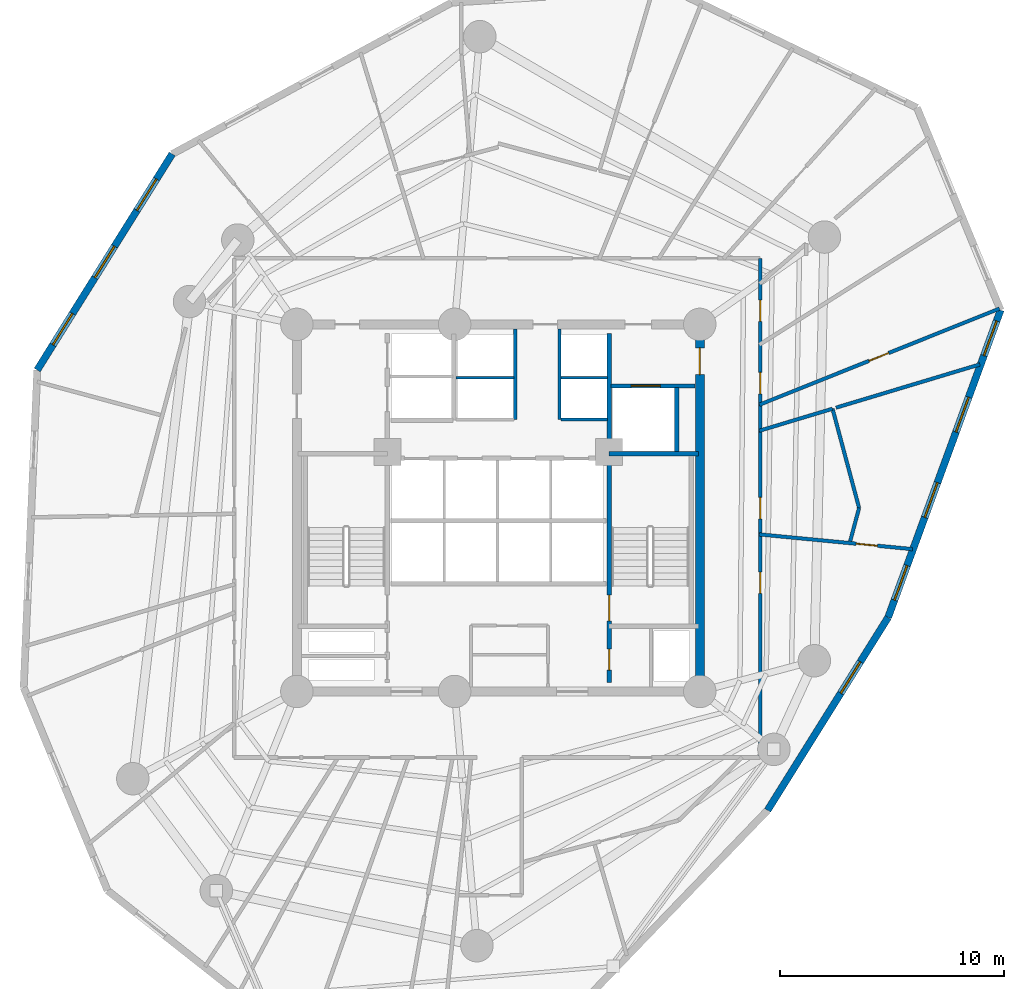
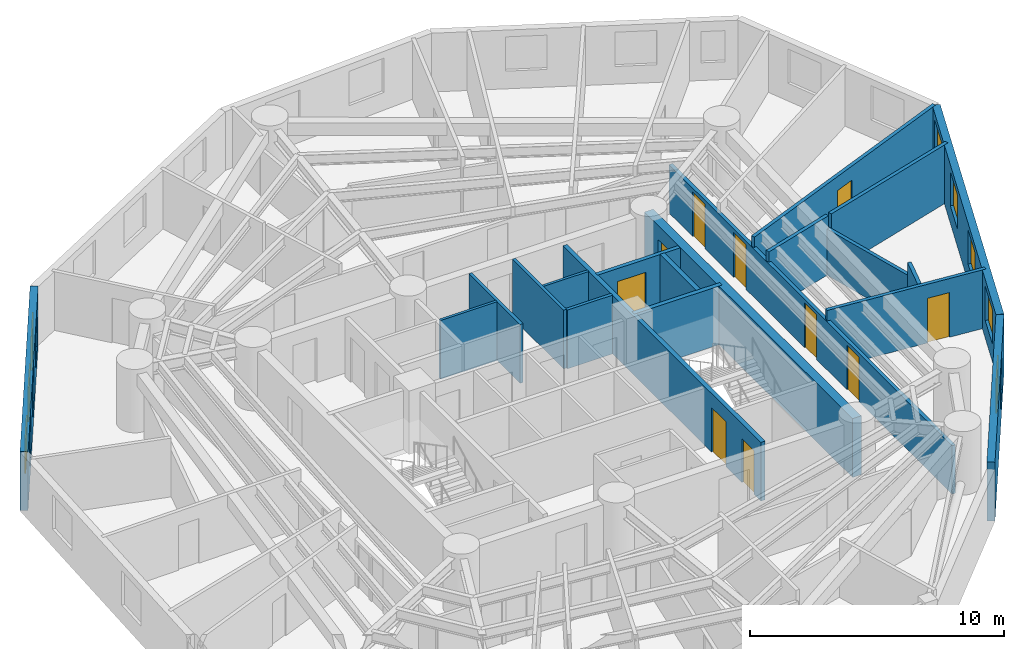
# One storey, part 5 of 8: 20 walls, 10 doors, 8 windows, 18 openings.
"""IFC4 building model written with IfcOpenShell, lengths in metres."""

import ifcopenshell
import ifcopenshell.guid

model = None  # the IFC model being written
_history = None  # IfcOwnerHistory: only IFC2X3 demands one
_inside = {}  # id of a spatial element -> (the spatial element, [elements in it])
_under = {}  # id of a project, library or spatial element -> (it, [spatial elements below it])
_declared = {}  # id of a project -> (the project, [libraries it declares])
_typed = {}  # id of a type object -> (the type object, [elements of that type])
_made_of = {}  # id of a material, layer set ... -> (it, [elements and type objects made of it])


def new_model(schema):
    """Start an empty IFC model of exactly this schema.

    Asked for "IFC4X3", IfcOpenShell would pick the latest addendum, in which some entities
    have other attributes; the version numbers below select the first issue.
    IFC2X3 requires an IfcOwnerHistory on every rooted entity: one is made here for all.
    """
    global model, _history
    if schema == "IFC4X3":
        model = ifcopenshell.file(schema_version=(4, 3, 0, 0))
    else:
        model = ifcopenshell.file(schema=schema)
    _inside.clear()
    _under.clear()
    _declared.clear()
    _typed.clear()
    _made_of.clear()
    _history = None
    if model.schema == "IFC2X3":
        org = make("IfcOrganization", Name="unknown")
        user = make(
            "IfcPersonAndOrganization",
            ThePerson=make("IfcPerson", FamilyName="unknown"),
            TheOrganization=org,
        )
        app = make(
            "IfcApplication",
            ApplicationDeveloper=org,
            Version="unknown",
            ApplicationFullName="unknown",
            ApplicationIdentifier="unknown",
        )
        _history = make(
            "IfcOwnerHistory",
            OwningUser=user,
            OwningApplication=app,
            ChangeAction="ADDED",
            CreationDate=0,
        )
    return model


def make(cls, **values):
    """One entity of the class cls with the attributes given. An attribute that is None is left unset."""
    return model.create_entity(
        cls, **{name: value for name, value in values.items() if value is not None}
    )


def rooted(cls, **values):
    """An entity with a GlobalId (a new one), such as an element, a storey or a relation."""
    return make(cls, GlobalId=ifcopenshell.guid.new(), OwnerHistory=_history, **values)


def si_unit(unit_type, name, prefix=None):
    """IfcSIUnit, for example si_unit("LENGTHUNIT", "METRE", prefix="MILLI")."""
    return make("IfcSIUnit", UnitType=unit_type, Prefix=prefix, Name=name)


def assignment(units):
    """IfcUnitAssignment: the units of a project."""
    return None if units is None else make("IfcUnitAssignment", Units=units)


def point(xyz):
    """IfcCartesianPoint."""
    return None if xyz is None else make("IfcCartesianPoint", Coordinates=xyz)


def direction(xyz):
    """IfcDirection."""
    return None if xyz is None else make("IfcDirection", DirectionRatios=xyz)


def frame(location, z_axis=None, x_axis=None):
    """IfcAxis2Placement3D, a coordinate frame: its origin and axes. An axis left out is left unset."""
    return make(
        "IfcAxis2Placement3D",
        Location=point(location),
        Axis=direction(z_axis),
        RefDirection=direction(x_axis),
    )


def frame_2d(location, x_axis=None):
    """IfcAxis2Placement2D, a coordinate frame in the plane: its origin and x axis."""
    return make(
        "IfcAxis2Placement2D", Location=point(location), RefDirection=direction(x_axis)
    )


def origin():
    """The frame at (0, 0, 0) with its axes left unset."""
    return frame((0.0, 0.0, 0.0))


def origin_with_axes():
    """The frame at (0, 0, 0) with the z axis (0, 0, 1) and the x axis (1, 0, 0) written out."""
    return frame((0.0, 0.0, 0.0), z_axis=(0.0, 0.0, 1.0), x_axis=(1.0, 0.0, 0.0))


def place(relative_to, where):
    """IfcLocalPlacement: puts the frame where relative to a parent placement (None: the world)."""
    return make(
        "IfcLocalPlacement", PlacementRelTo=relative_to, RelativePlacement=where
    )


def context(
    kind, dimensions, precision=None, world=None, true_north=None, identifier=None
):
    """IfcGeometricRepresentationContext, for example the 3D "Model" context."""
    return make(
        "IfcGeometricRepresentationContext",
        ContextIdentifier=identifier,
        ContextType=kind,
        CoordinateSpaceDimension=dimensions,
        Precision=precision,
        WorldCoordinateSystem=world,
        TrueNorth=true_north,
    )


def subcontext(parent, identifier, kind, view, scale=None):
    """IfcGeometricRepresentationSubContext, for example "Body" below "Model"."""
    return make(
        "IfcGeometricRepresentationSubContext",
        ContextIdentifier=identifier,
        ContextType=kind,
        ParentContext=parent,
        TargetScale=scale,
        TargetView=view,
    )


def project(units=None, contexts=None):
    """IfcProject with its units and contexts."""
    return rooted(
        "IfcProject",
        Name="project",
        RepresentationContexts=contexts,
        UnitsInContext=assignment(units),
    )


def spatial(cls, under=None, at=None, **own):
    """A site, building, storey or space (cls), placed at a placement, below another one or the project."""
    s = rooted(cls, ObjectPlacement=at, **own)
    if under is not None:
        _under.setdefault(under.id(), (under, []))[1].append(s)
    return s


def profile(cls, at=None, kind="AREA", **sizes):
    """A parametric profile (cls). Its sizes go by their IFC names, for example OverallWidth=200.0."""
    return make(cls, ProfileType=kind, Position=at, **sizes)


def rectangle(**sizes):
    """IfcRectangleProfileDef."""
    return profile("IfcRectangleProfileDef", **sizes)


def extrude(swept, where, along, depth):
    """IfcExtrudedAreaSolid: the profile swept, set in the frame where, extruded along a direction by depth."""
    return make(
        "IfcExtrudedAreaSolid",
        SweptArea=swept,
        Position=where,
        ExtrudedDirection=direction(along),
        Depth=depth,
    )


def shape(context_of_items, identifier, shape_type, items):
    """IfcShapeRepresentation: the items that make up one representation, for example the "Body"."""
    return make(
        "IfcShapeRepresentation",
        ContextOfItems=context_of_items,
        RepresentationIdentifier=identifier,
        RepresentationType=shape_type,
        Items=items,
    )


def source(mapping_origin, context_of_items, identifier, shape_type, items):
    """IfcRepresentationMap: a shape defined once, which mapped items show again and again."""
    return make(
        "IfcRepresentationMap",
        MappingOrigin=mapping_origin,
        MappedRepresentation=shape(context_of_items, identifier, shape_type, items),
    )


def transform(
    local_origin,
    x_axis=None,
    y_axis=None,
    z_axis=None,
    scale=None,
    scale2=None,
    scale3=None,
    uniform=True,
):
    """IfcCartesianTransformationOperator3D, or its non-uniform kind. x_axis, y_axis, z_axis: its Axis1, 2, 3."""
    if uniform:
        return make(
            "IfcCartesianTransformationOperator3D",
            Axis1=direction(x_axis),
            Axis2=direction(y_axis),
            LocalOrigin=point(local_origin),
            Scale=scale,
            Axis3=direction(z_axis),
        )
    return make(
        "IfcCartesianTransformationOperator3DnonUniform",
        Axis1=direction(x_axis),
        Axis2=direction(y_axis),
        LocalOrigin=point(local_origin),
        Scale=scale,
        Axis3=direction(z_axis),
        Scale2=scale2,
        Scale3=scale3,
    )


def mapped(mapping_source, mapping_target):
    """IfcMappedItem: shows the shape of a source again, moved by a transform."""
    return make(
        "IfcMappedItem", MappingSource=mapping_source, MappingTarget=mapping_target
    )


def material(Name=None, Category=None):
    """IfcMaterial."""
    return make("IfcMaterial", Name=Name, Category=Category)


def layer(
    of_material, thickness, ventilated=None, Name=None, Category=None, Priority=None
):
    """IfcMaterialLayer: one layer of a wall or slab, of a material (None: an air gap)."""
    return make(
        "IfcMaterialLayer",
        Material=of_material,
        LayerThickness=thickness,
        IsVentilated=ventilated,
        Name=Name,
        Category=Category,
        Priority=Priority,
    )


def layer_set(layers, Name=None):
    """IfcMaterialLayerSet."""
    return make("IfcMaterialLayerSet", MaterialLayers=layers, LayerSetName=Name)


def made_of(thing, what):
    """Note that an element or type object is made of a material, layer set ...; save() writes the relation."""
    if what is not None:
        _made_of.setdefault(what.id(), (what, []))[1].append(thing)
    return thing


def type_object(cls, material=None, **own):
    """A type object (cls), such as IfcWallType, which elements share."""
    return made_of(rooted(cls, **own), material)


def element(
    cls,
    number,
    at=None,
    inside=None,
    cuts=None,
    type_object=None,
    material=None,
    context=None,
    identifier="Body",
    shape_type=None,
    held_by="IfcProductDefinitionShape",
    body=None,
    shapes=None,
    **own,
):
    """One element of the class cls, such as IfcWall. Its Tag is "e" and its number.

    at: its placement. inside: the storey or other place that contains it. cuts: it is an
    opening in that element (IfcRelVoidsElement). A single representation is given by context,
    identifier, shape_type and body (its items); several are given by shapes. held_by: the class
    of the entity that holds the representations. save() writes the other relations.
    """
    e = rooted(cls, Tag="e%d" % number, ObjectPlacement=at, **own)
    if body is not None:
        shapes = [shape(context, identifier, shape_type, body)]
    if shapes is not None:
        e.Representation = make(held_by, Representations=shapes)
    if inside is not None:
        _inside.setdefault(inside.id(), (inside, []))[1].append(e)
    if cuts is not None:
        rooted(
            "IfcRelVoidsElement", RelatingBuildingElement=cuts, RelatedOpeningElement=e
        )
    if type_object is not None:
        _typed.setdefault(type_object.id(), (type_object, []))[1].append(e)
    return made_of(e, material)


def fill(opening, filler):
    """IfcRelFillsElement: the door or window that sits in an opening."""
    return rooted(
        "IfcRelFillsElement",
        RelatingOpeningElement=opening,
        RelatedBuildingElement=filler,
    )


def aggregate(whole, parts):
    """IfcRelAggregates: a whole, such as a stair, and the parts it consists of."""
    return rooted("IfcRelAggregates", RelatingObject=whole, RelatedObjects=parts)


def save(model, path):
    """Write the relations noted so far, then the file.

    IfcRelAggregates (storeys below a building ...), IfcRelContainedInSpatialStructure (elements
    in a storey), IfcRelDefinesByType, IfcRelAssociatesMaterial and IfcRelDeclares: one each for
    every whole, place, type object, material and project.
    """
    for whole, parts in _under.values():
        aggregate(whole, parts)
    for where, things in _inside.values():
        rooted(
            "IfcRelContainedInSpatialStructure",
            RelatedElements=things,
            RelatingStructure=where,
        )
    for kind, things in _typed.values():
        rooted("IfcRelDefinesByType", RelatedObjects=things, RelatingType=kind)
    for what, things in _made_of.values():
        rooted("IfcRelAssociatesMaterial", RelatedObjects=things, RelatingMaterial=what)
    for by, libraries in _declared.values():
        rooted("IfcRelDeclares", RelatingContext=by, RelatedDefinitions=libraries)
    model.write(path)


model = new_model("IFC4")

# Units and contexts
model_context = context("Model", 3, precision=1e-05, world=origin(), true_north=direction((0.0, 1.0)))
body_context = subcontext(model_context, "Body", "Model", "MODEL_VIEW")
ifc_project = project(units=[si_unit("LENGTHUNIT", "METRE"), si_unit("AREAUNIT", "SQUARE_METRE"), si_unit("VOLUMEUNIT", "CUBIC_METRE"), si_unit("PLANEANGLEUNIT", "RADIAN"), si_unit("MASSUNIT", "GRAM", prefix="KILO")], contexts=[model_context])

# Site, building, storey
site_placement = place(None, origin())
site = spatial("IfcSite", under=ifc_project, at=site_placement, CompositionType="ELEMENT")
building_placement = place(site_placement, origin())
building = spatial("IfcBuilding", under=site, at=building_placement, Name="Karkom Vertical University and Central Library", CompositionType="ELEMENT")
storey_placement = place(building_placement, frame((0.0, 0.0, 108.39990234375)))
storey = spatial("IfcBuildingStorey", under=building, at=storey_placement, Name="L29", CompositionType="ELEMENT", Elevation=108.39990234375)

# Wall, openings, windows
ifc_material_1 = material(Name="Brick-faced precast concrete C45/55", Category="masonry")
ifc_layer_1 = layer(ifc_material_1, 0.320068359375)
ifc_layer_set_1 = layer_set([ifc_layer_1], Name="Brick-faced precast concrete C45/55")
wall_type_1 = type_object("IfcWallType", Name="ENV-WL-BRK-320", PredefinedType="SOLIDWALL", material=ifc_layer_set_1)
wall_1_placement = place(storey_placement, frame((13.93310546875, 42.31298828125, 0.0), z_axis=(0.0, 0.0, 1.0), x_axis=(-0.529921814279, -0.848046502706, 0.0)))
wall_1 = element("IfcWall", 1, at=wall_1_placement, inside=storey, type_object=wall_type_1, Name="Level 29 Brick-Faced Precast Facade Wall 01", PredefinedType="SOLIDWALL", context=body_context, shape_type="SweptSolid", body=[
    extrude(rectangle(XDim=11.3818359375, YDim=0.320068359375, at=frame_2d((5.69091796875, 0.0))), origin(), (0.0, 0.0, 1.0), 2.8251953125),
])
opening_1_placement = place(wall_1_placement, frame((1.3251953125, 0.0, 0.85009765625)))
opening_1 = element("IfcOpeningElement", 2, at=opening_1_placement, cuts=wall_1, Name="Opening WN-06", PredefinedType="OPENING", context=body_context, shape_type="SweptSolid", body=[
    extrude(rectangle(XDim=1.64990234375, YDim=1.64990234375, at=frame_2d((0.824951171875, 0.824951171875))), frame((0.0, 0.169921875, 0.0), z_axis=(0.0, -1.0, 0.0), x_axis=(1.0, 0.0, 0.0)), (0.0, 0.0, 1.0), 0.340087890625),
])
opening_2_placement = place(wall_1_placement, frame((4.865966796875, 0.0, 0.85009765625)))
opening_2 = element("IfcOpeningElement", 3, at=opening_2_placement, cuts=wall_1, Name="Opening WN-06", PredefinedType="OPENING", context=body_context, shape_type="SweptSolid", body=[
    extrude(rectangle(XDim=1.64990234375, YDim=1.64990234375, at=frame_2d((0.824951171875, 0.824951171875))), frame((0.0, 0.169921875, 0.0), z_axis=(0.0, -1.0, 0.0), x_axis=(1.0, 0.0, 0.0)), (0.0, 0.0, 1.0), 0.340087890625),
])
opening_3_placement = place(wall_1_placement, frame((8.406494140625, 0.0, 0.85009765625)))
opening_3 = element("IfcOpeningElement", 4, at=opening_3_placement, cuts=wall_1, Name="Opening WN-06", PredefinedType="OPENING", context=body_context, shape_type="SweptSolid", body=[
    extrude(rectangle(XDim=1.64990234375, YDim=1.64990234375, at=frame_2d((0.824951171875, 0.824951171875))), frame((0.0, 0.169921875, 0.0), z_axis=(0.0, -1.0, 0.0), x_axis=(1.0, 0.0, 0.0)), (0.0, 0.0, 1.0), 0.340087890625),
])
ifc_material_2 = material(Name="Aluminium thermal-break frame with solar-control IGU", Category="aluminium")
window_type = type_object("IfcWindowType", Name="ENV-WIN-WN-06", PartitioningType="SINGLE_PANEL", PredefinedType="WINDOW", material=ifc_material_2)
shared_shape_1 = source(origin_with_axes(), body_context, "Body", "SweptSolid", [
    extrude(rectangle(XDim=1.64990234375, YDim=1.64990234375, at=frame_2d((0.824951171875, 0.824951171875))), frame((0.0, 0.030029296875, 0.0), z_axis=(0.0, -1.0, 0.0), x_axis=(1.0, 0.0, 0.0)), (0.0, 0.0, 1.0), 0.06005859375),
])
window_1_placement = place(opening_1_placement, origin())
window_1 = element("IfcWindow", 5, at=window_1_placement, inside=storey, type_object=window_type, Name="Level 29 Punched Window 1.1", OverallHeight=1.64990234375, OverallWidth=1.64990234375, PartitioningType="SINGLE_PANEL", PredefinedType="WINDOW", context=body_context, shape_type="MappedRepresentation", body=[
    mapped(shared_shape_1, transform((0.0, 0.0, 0.0), scale=1.0)),
])
fill(opening_1, window_1)
window_2_placement = place(opening_2_placement, origin())
window_2 = element("IfcWindow", 6, at=window_2_placement, inside=storey, type_object=window_type, Name="Level 29 Punched Window 1.2", OverallHeight=1.64990234375, OverallWidth=1.64990234375, PartitioningType="SINGLE_PANEL", PredefinedType="WINDOW", context=body_context, shape_type="MappedRepresentation", body=[
    mapped(shared_shape_1, transform((0.0, 0.0, 0.0), scale=1.0)),
])
fill(opening_2, window_2)
window_3_placement = place(opening_3_placement, origin())
window_3 = element("IfcWindow", 7, at=window_3_placement, inside=storey, type_object=window_type, Name="Level 29 Punched Window 1.3", OverallHeight=1.64990234375, OverallWidth=1.64990234375, PartitioningType="SINGLE_PANEL", PredefinedType="WINDOW", context=body_context, shape_type="MappedRepresentation", body=[
    mapped(shared_shape_1, transform((0.0, 0.0, 0.0), scale=1.0)),
])
fill(opening_3, window_3)

# Wall, opening, window
wall_2_placement = place(storey_placement, frame((40.52978515625, 12.99169921875, 0.0), z_axis=(0.0, 0.0, 1.0), x_axis=(0.529914715666, 0.8480509384, 0.0)))
wall_2 = element("IfcWall", 8, at=wall_2_placement, inside=storey, type_object=wall_type_1, Name="Level 29 Brick-Faced Precast Facade Wall 07", PredefinedType="SOLIDWALL", context=body_context, shape_type="SweptSolid", body=[
    extrude(rectangle(XDim=10.162109375, YDim=0.320068359375, at=frame_2d((5.0810546875, 0.0))), origin(), (0.0, 0.0, 1.0), 2.8251953125),
])
opening_4_placement = place(wall_2_placement, frame((6.169677734375, 0.0, 0.85009765625)))
opening_4 = element("IfcOpeningElement", 9, at=opening_4_placement, cuts=wall_2, Name="Opening WN-06", PredefinedType="OPENING", context=body_context, shape_type="SweptSolid", body=[
    extrude(rectangle(XDim=1.64990234375, YDim=1.64990234375, at=frame_2d((0.824951171875, 0.824951171875))), frame((0.0, 0.169921875, 0.0), z_axis=(0.0, -1.0, 0.0), x_axis=(1.0, 0.0, 0.0)), (0.0, 0.0, 1.0), 0.340087890625),
])
window_4_placement = place(opening_4_placement, origin())
window_4 = element("IfcWindow", 10, at=window_4_placement, inside=storey, type_object=window_type, Name="Level 29 Punched Window 7.1", OverallHeight=1.64990234375, OverallWidth=1.64990234375, PartitioningType="SINGLE_PANEL", PredefinedType="WINDOW", context=body_context, shape_type="MappedRepresentation", body=[
    mapped(shared_shape_1, transform((0.0, 0.0, 0.0), scale=1.0)),
])
fill(opening_4, window_4)

# Wall, openings, windows
wall_3_placement = place(storey_placement, frame((45.914794921875, 21.609619140625, 0.0), z_axis=(0.0, 0.0, 1.0), x_axis=(0.343740317442, 0.939064744395, 0.0)))
wall_3 = element("IfcWall", 11, at=wall_3_placement, inside=storey, type_object=wall_type_1, Name="Level 29 Brick-Faced Precast Facade Wall 08", PredefinedType="SOLIDWALL", context=body_context, shape_type="SweptSolid", body=[
    extrude(rectangle(XDim=14.618408203125, YDim=0.320068359375, at=frame_2d((7.30908203125, 0.0))), origin(), (0.0, 0.0, 1.0), 2.8251953125),
])
opening_5_placement = place(wall_3_placement, frame((0.819580078125, 0.0, 0.85009765625)))
opening_5 = element("IfcOpeningElement", 12, at=opening_5_placement, cuts=wall_3, Name="Opening WN-06", PredefinedType="OPENING", context=body_context, shape_type="SweptSolid", body=[
    extrude(rectangle(XDim=1.64990234375, YDim=1.64990234375, at=frame_2d((0.824951171875, 0.824951171875))), frame((0.0, 0.169921875, 0.0), z_axis=(0.0, -1.0, 0.0), x_axis=(1.0, 0.0, 0.0)), (0.0, 0.0, 1.0), 0.340087890625),
])
opening_6_placement = place(wall_3_placement, frame((4.756591796875, 0.0, 0.85009765625)))
opening_6 = element("IfcOpeningElement", 13, at=opening_6_placement, cuts=wall_3, Name="Opening WN-06", PredefinedType="OPENING", context=body_context, shape_type="SweptSolid", body=[
    extrude(rectangle(XDim=1.64990234375, YDim=1.64990234375, at=frame_2d((0.824951171875, 0.824951171875))), frame((0.0, 0.169921875, 0.0), z_axis=(0.0, -1.0, 0.0), x_axis=(1.0, 0.0, 0.0)), (0.0, 0.0, 1.0), 0.340087890625),
])
opening_7_placement = place(wall_3_placement, frame((8.822021484375, 0.0, 0.85009765625)))
opening_7 = element("IfcOpeningElement", 14, at=opening_7_placement, cuts=wall_3, Name="Opening WN-06", PredefinedType="OPENING", context=body_context, shape_type="SweptSolid", body=[
    extrude(rectangle(XDim=1.64990234375, YDim=1.64990234375, at=frame_2d((0.824951171875, 0.824951171875))), frame((0.0, 0.169921875, 0.0), z_axis=(0.0, -1.0, 0.0), x_axis=(1.0, 0.0, 0.0)), (0.0, 0.0, 1.0), 0.340087890625),
])
opening_8_placement = place(wall_3_placement, frame((12.4541015625, 0.0, 0.85009765625)))
opening_8 = element("IfcOpeningElement", 15, at=opening_8_placement, cuts=wall_3, Name="Opening WN-06", PredefinedType="OPENING", context=body_context, shape_type="SweptSolid", body=[
    extrude(rectangle(XDim=1.64990234375, YDim=1.64990234375, at=frame_2d((0.824951171875, 0.824951171875))), frame((0.0, 0.169921875, 0.0), z_axis=(0.0, -1.0, 0.0), x_axis=(1.0, 0.0, 0.0)), (0.0, 0.0, 1.0), 0.340087890625),
])
window_5_placement = place(opening_5_placement, origin())
window_5 = element("IfcWindow", 16, at=window_5_placement, inside=storey, type_object=window_type, Name="Level 29 Punched Window 8.1", OverallHeight=1.64990234375, OverallWidth=1.64990234375, PartitioningType="SINGLE_PANEL", PredefinedType="WINDOW", context=body_context, shape_type="MappedRepresentation", body=[
    mapped(shared_shape_1, transform((0.0, 0.0, 0.0), scale=1.0)),
])
fill(opening_5, window_5)
window_6_placement = place(opening_6_placement, origin())
window_6 = element("IfcWindow", 17, at=window_6_placement, inside=storey, type_object=window_type, Name="Level 29 Punched Window 8.2", OverallHeight=1.64990234375, OverallWidth=1.64990234375, PartitioningType="SINGLE_PANEL", PredefinedType="WINDOW", context=body_context, shape_type="MappedRepresentation", body=[
    mapped(shared_shape_1, transform((0.0, 0.0, 0.0), scale=1.0)),
])
fill(opening_6, window_6)
window_7_placement = place(opening_7_placement, origin())
window_7 = element("IfcWindow", 18, at=window_7_placement, inside=storey, type_object=window_type, Name="Level 29 Punched Window 8.3", OverallHeight=1.64990234375, OverallWidth=1.64990234375, PartitioningType="SINGLE_PANEL", PredefinedType="WINDOW", context=body_context, shape_type="MappedRepresentation", body=[
    mapped(shared_shape_1, transform((0.0, 0.0, 0.0), scale=1.0)),
])
fill(opening_7, window_7)
window_8_placement = place(opening_8_placement, origin())
window_8 = element("IfcWindow", 19, at=window_8_placement, inside=storey, type_object=window_type, Name="Level 29 Punched Window 8.4", OverallHeight=1.64990234375, OverallWidth=1.64990234375, PartitioningType="SINGLE_PANEL", PredefinedType="WINDOW", context=body_context, shape_type="MappedRepresentation", body=[
    mapped(shared_shape_1, transform((0.0, 0.0, 0.0), scale=1.0)),
])
fill(opening_8, window_8)

# Wall, openings, doors
ifc_material_3 = material(Name="Insulated metal-stud drywall 160mm", Category="gypsum")
ifc_layer_2 = layer(ifc_material_3, 0.159912109375)
ifc_layer_set_2 = layer_set([ifc_layer_2], Name="Insulated metal-stud drywall 160mm")
wall_type_2 = type_object("IfcWallType", Name="INT-WL-COR-160", PredefinedType="PARTITIONING", material=ifc_layer_set_2)
wall_4_placement = place(storey_placement, frame((40.199951171875, 37.64990234375, 0.0), z_axis=(0.0, 0.0, 1.0), x_axis=(0.0, -1.0, 0.0)))
wall_4 = element("IfcWall", 20, at=wall_4_placement, inside=storey, type_object=wall_type_2, Name="Level 29 Interior Partition Wall L29-CORW-CW-004", PredefinedType="PARTITIONING", context=body_context, shape_type="SweptSolid", body=[
    extrude(rectangle(XDim=22.2998046875, YDim=0.159912109375, at=frame_2d((11.14990234375, 0.0))), origin(), (0.0, 0.0, 1.0), 2.3251953125),
])
opening_9_placement = place(wall_4_placement, frame((14.02001953125, 0.0, 0.0)))
opening_9 = element("IfcOpeningElement", 21, at=opening_9_placement, cuts=wall_4, Name="Opening D-RM1", PredefinedType="OPENING", context=body_context, shape_type="SweptSolid", body=[
    extrude(rectangle(XDim=0.949951171875, YDim=2.14990234375, at=frame_2d((0.47509765625, 1.074951171875))), frame((0.0, 0.08984375, 0.0), z_axis=(0.0, -1.0, 0.0), x_axis=(1.0, 0.0, 0.0)), (0.0, 0.0, 1.0), 0.179931640625),
])
opening_10_placement = place(wall_4_placement, frame((10.675048828125, 0.0, 0.0)))
opening_10 = element("IfcOpeningElement", 22, at=opening_10_placement, cuts=wall_4, Name="Opening FD-RM2", PredefinedType="OPENING", context=body_context, shape_type="SweptSolid", body=[
    extrude(rectangle(XDim=0.9599609375, YDim=2.14990234375, at=frame_2d((0.47998046875, 1.074951171875))), frame((0.0, 0.08984375, 0.0), z_axis=(0.0, -1.0, 0.0), x_axis=(1.0, 0.0, 0.0)), (0.0, 0.0, 1.0), 0.179931640625),
])
opening_11_placement = place(wall_4_placement, frame((5.10009765625, 0.0, 0.0)))
opening_11 = element("IfcOpeningElement", 23, at=opening_11_placement, cuts=wall_4, Name="Opening FD-RM2", PredefinedType="OPENING", context=body_context, shape_type="SweptSolid", body=[
    extrude(rectangle(XDim=0.9599609375, YDim=2.14990234375, at=frame_2d((0.47998046875, 1.074951171875))), frame((0.0, 0.08984375, 0.0), z_axis=(0.0, -1.0, 0.0), x_axis=(1.0, 0.0, 0.0)), (0.0, 0.0, 1.0), 0.179931640625),
])
opening_12_placement = place(wall_4_placement, frame((1.868896484375, 0.0, 0.0)))
opening_12 = element("IfcOpeningElement", 24, at=opening_12_placement, cuts=wall_4, Name="Opening D-RM1", PredefinedType="OPENING", context=body_context, shape_type="SweptSolid", body=[
    extrude(rectangle(XDim=0.949951171875, YDim=2.14990234375, at=frame_2d((0.47509765625, 1.074951171875))), frame((0.0, 0.08984375, 0.0), z_axis=(0.0, -1.0, 0.0), x_axis=(1.0, 0.0, 0.0)), (0.0, 0.0, 1.0), 0.179931640625),
])
ifc_material_4 = material(Name="Fire-rated oak veneer door", Category="wood")
door_type_1 = type_object("IfcDoorType", Name="INT-DR-FRM2", OperationType="NOTDEFINED", PredefinedType="DOOR", material=ifc_material_4)
shared_shape_2 = source(origin_with_axes(), body_context, "Body", "SweptSolid", [
    extrude(rectangle(XDim=0.9599609375, YDim=2.14990234375, at=frame_2d((0.47998046875, 1.074951171875))), frame((0.0, 0.02490234375, 0.0), z_axis=(0.0, -1.0, 0.0), x_axis=(1.0, 0.0, 0.0)), (0.0, 0.0, 1.0), 0.050048828125),
])
door_1_placement = place(opening_10_placement, origin())
door_1 = element("IfcDoor", 25, at=door_1_placement, inside=storey, type_object=door_type_1, Name="Level 29 Room Entry Door 120", OperationType="SINGLE_SWING_LEFT", OverallHeight=2.14990234375, OverallWidth=0.9599609375, PredefinedType="DOOR", context=body_context, shape_type="MappedRepresentation", body=[
    mapped(shared_shape_2, transform((0.0, 0.0, 0.0), scale=1.0)),
])
fill(opening_10, door_1)
door_2_placement = place(opening_11_placement, origin())
door_2 = element("IfcDoor", 26, at=door_2_placement, inside=storey, type_object=door_type_1, Name="Level 29 Room Entry Door 150", OperationType="SINGLE_SWING_RIGHT", OverallHeight=2.14990234375, OverallWidth=0.9599609375, PredefinedType="DOOR", context=body_context, shape_type="MappedRepresentation", body=[
    mapped(shared_shape_2, transform((0.0, 0.0, 0.0), scale=1.0)),
])
fill(opening_11, door_2)
ifc_material_5 = material(Name="Solid-core oak veneer door", Category="wood")
door_type_2 = type_object("IfcDoorType", Name="INT-DR-RM1", OperationType="NOTDEFINED", PredefinedType="DOOR", material=ifc_material_5)
shared_shape_3 = source(origin_with_axes(), body_context, "Body", "SweptSolid", [
    extrude(rectangle(XDim=0.949951171875, YDim=2.14990234375, at=frame_2d((0.47509765625, 1.074951171875))), frame((0.0, 0.02490234375, 0.0), z_axis=(0.0, -1.0, 0.0), x_axis=(1.0, 0.0, 0.0)), (0.0, 0.0, 1.0), 0.050048828125),
])
door_3_placement = place(opening_9_placement, origin())
door_3 = element("IfcDoor", 27, at=door_3_placement, inside=storey, type_object=door_type_2, Name="Level 29 Room Entry Door 110", OperationType="SINGLE_SWING_RIGHT", OverallHeight=2.14990234375, OverallWidth=0.949951171875, PredefinedType="DOOR", context=body_context, shape_type="MappedRepresentation", body=[
    mapped(shared_shape_3, transform((0.0, 0.0, 0.0), scale=1.0)),
])
fill(opening_9, door_3)
door_4_placement = place(opening_12_placement, origin())
door_4 = element("IfcDoor", 28, at=door_4_placement, inside=storey, type_object=door_type_2, Name="Level 29 Room Entry Door 160", OperationType="SINGLE_SWING_LEFT", OverallHeight=2.14990234375, OverallWidth=0.949951171875, PredefinedType="DOOR", context=body_context, shape_type="MappedRepresentation", body=[
    mapped(shared_shape_3, transform((0.0, 0.0, 0.0), scale=1.0)),
])
fill(opening_12, door_4)

# Wall, opening, door
wall_5_placement = place(storey_placement, frame((40.158203125, 31.10595703125, 0.0), z_axis=(0.0, 0.0, 1.0), x_axis=(0.928274025934, 0.371896938379, 0.0)))
wall_5 = element("IfcWall", 29, at=wall_5_placement, inside=storey, type_object=wall_type_2, Name="Level 29 Interior Partition Wall L29-PW-021", PredefinedType="PARTITIONING", context=body_context, shape_type="SweptSolid", body=[
    extrude(rectangle(XDim=11.555908203125, YDim=0.159912109375, at=frame_2d((5.77783203125, 0.0))), origin(), (0.0, 0.0, 1.0), 2.8251953125),
])
opening_13_placement = place(wall_5_placement, frame((5.27783203125, 0.0, 0.0)))
opening_13 = element("IfcOpeningElement", 30, at=opening_13_placement, cuts=wall_5, Name="Opening D-RM1", PredefinedType="OPENING", context=body_context, shape_type="SweptSolid", body=[
    extrude(rectangle(XDim=0.949951171875, YDim=2.14990234375, at=frame_2d((0.47509765625, 1.074951171875))), frame((0.0, 0.08984375, 0.0), z_axis=(0.0, -1.0, 0.0), x_axis=(1.0, 0.0, 0.0)), (0.0, 0.0, 1.0), 0.179931640625),
])
door_5_placement = place(opening_13_placement, origin())
door_5 = element("IfcDoor", 31, at=door_5_placement, inside=storey, type_object=door_type_2, Name="Level 29 Room Entry Door 140", OperationType="SINGLE_SWING_LEFT", OverallHeight=2.14990234375, OverallWidth=0.949951171875, PredefinedType="DOOR", context=body_context, shape_type="MappedRepresentation", body=[
    mapped(shared_shape_3, transform((0.0, 0.0, 0.0), scale=1.0)),
])
fill(opening_13, door_5)

wall_6_placement = place(storey_placement, frame((40.1552734375, 25.318115234375, 0.0), z_axis=(0.0, 0.0, 1.0), x_axis=(0.995401352715, -0.09579220748, 0.0)))
wall_6 = element("IfcWall", 32, at=wall_6_placement, inside=storey, type_object=wall_type_2, Name="Level 29 Interior Partition Wall L29-PW-016", PredefinedType="PARTITIONING", context=body_context, shape_type="SweptSolid", body=[
    extrude(rectangle(XDim=6.87890625, YDim=0.159912109375, at=frame_2d((3.439453125, 0.0))), origin(), (0.0, 0.0, 1.0), 2.8251953125),
])
opening_14_placement = place(wall_6_placement, frame((4.353759765625, 0.0, 0.0)))
opening_14 = element("IfcOpeningElement", 33, at=opening_14_placement, cuts=wall_6, Name="Opening D-RM1", PredefinedType="OPENING", context=body_context, shape_type="SweptSolid", body=[
    extrude(rectangle(XDim=0.949951171875, YDim=2.14990234375, at=frame_2d((0.47509765625, 1.074951171875))), frame((0.0, 0.08984375, 0.0), z_axis=(0.0, -1.0, 0.0), x_axis=(1.0, 0.0, 0.0)), (0.0, 0.0, 1.0), 0.179931640625),
])
door_6_placement = place(opening_14_placement, origin())
door_6 = element("IfcDoor", 34, at=door_6_placement, inside=storey, type_object=door_type_2, Name="Level 29 Room Entry Door 130", OperationType="SINGLE_SWING_RIGHT", OverallHeight=2.14990234375, OverallWidth=0.949951171875, PredefinedType="DOOR", context=body_context, shape_type="MappedRepresentation", body=[
    mapped(shared_shape_3, transform((0.0, 0.0, 0.0), scale=1.0)),
])
fill(opening_14, door_6)

# Walls
wall_7_placement = place(storey_placement, frame((43.583251953125, 30.9765625, 0.0), z_axis=(0.0, 0.0, 1.0), x_axis=(0.957579677433, 0.288168633558, 0.0)))
element("IfcWall", 35, at=wall_7_placement, inside=storey, type_object=wall_type_2, Name="Level 29 Interior Partition Wall L29-PW-020", PredefinedType="PARTITIONING", context=body_context, shape_type="SweptSolid", body=[
    extrude(rectangle(XDim=6.71240234375, YDim=0.159912109375, at=frame_2d((3.356201171875, 0.0))), origin(), (0.0, 0.0, 1.0), 2.8251953125),
])
wall_8_placement = place(storey_placement, frame((43.43017578125, 30.930419921875, 0.0), z_axis=(0.0, 0.0, 1.0), x_axis=(0.258795505206, -0.965932133478, 0.0)))
element("IfcWall", 36, at=wall_8_placement, inside=storey, type_object=wall_type_2, Name="Level 29 Interior Partition Wall L29-PW-017", PredefinedType="PARTITIONING", context=body_context, shape_type="SweptSolid", body=[
    extrude(rectangle(XDim=4.586669921875, YDim=0.159912109375, at=frame_2d((2.29345703125, 0.0))), origin(), (0.0, 0.0, 1.0), 2.22509765625),
])
wall_9_placement = place(storey_placement, frame((40.156982421875, 29.9453125, 0.0), z_axis=(0.0, 0.0, 1.0), x_axis=(0.957572326722, 0.288193058725, 0.0)))
element("IfcWall", 37, at=wall_9_placement, inside=storey, type_object=wall_type_2, Name="Level 29 Interior Partition Wall L29-PW-019", PredefinedType="PARTITIONING", context=body_context, shape_type="SweptSolid", body=[
    extrude(rectangle(XDim=3.418212890625, YDim=0.159912109375, at=frame_2d((1.708984375, 0.0))), origin(), (0.0, 0.0, 1.0), 2.8251953125),
])
wall_10_placement = place(storey_placement, frame((44.6171875, 26.5, 0.0), z_axis=(0.0, 0.0, 1.0), x_axis=(-0.258897414575, -0.965904823845, 0.0)))
element("IfcWall", 38, at=wall_10_placement, inside=storey, type_object=wall_type_2, Name="Level 29 Interior Partition Wall L29-PW-018", PredefinedType="PARTITIONING", context=body_context, shape_type="SweptSolid", body=[
    extrude(rectangle(XDim=1.5380859375, YDim=0.159912109375, at=frame_2d((0.76904296875, 0.0))), origin(), (0.0, 0.0, 1.0), 2.8251953125),
])
ifc_material_6 = material(Name="Moisture-resistant drywall 120mm", Category="gypsum")
ifc_layer_3 = layer(ifc_material_6, 0.1201171875)
ifc_layer_set_3 = layer_set([ifc_layer_3], Name="Moisture-resistant drywall 120mm")
wall_type_3 = type_object("IfcWallType", Name="INT-WL-INT-120H", PredefinedType="PARTITIONING", material=ifc_layer_set_3)
wall_11_placement = place(storey_placement, frame((26.6201171875, 32.320068359375, 0.0), z_axis=(0.0, 0.0, 1.0), x_axis=(1.0, 0.0, 0.0)))
element("IfcWall", 39, at=wall_11_placement, inside=storey, type_object=wall_type_3, Name="Level 29 Interior Partition Wall L29-CW-PH-MW", PredefinedType="PARTITIONING", context=body_context, shape_type="SweptSolid", body=[
    extrude(rectangle(XDim=2.579833984375, YDim=0.1201171875, at=frame_2d((1.2900390625, 0.0))), origin(), (0.0, 0.0, 1.0), 2.8251953125),
])
wall_12_placement = place(storey_placement, frame((31.300048828125, 32.320068359375, 0.0), z_axis=(0.0, 0.0, 1.0), x_axis=(1.0, 0.0, 0.0)))
element("IfcWall", 40, at=wall_12_placement, inside=storey, type_object=wall_type_3, Name="Level 29 Interior Partition Wall L29-CW-PH-ME", PredefinedType="PARTITIONING", context=body_context, shape_type="SweptSolid", body=[
    extrude(rectangle(XDim=2.074951171875, YDim=0.1201171875, at=frame_2d((1.03759765625, 0.0))), origin(), (0.0, 0.0, 1.0), 2.8251953125),
])
ifc_material_7 = material(Name="Metal-stud gypsum partition 140mm", Category="gypsum")
ifc_layer_4 = layer(ifc_material_7, 0.139892578125)
ifc_layer_set_4 = layer_set([ifc_layer_4], Name="Metal-stud gypsum partition 140mm")
wall_type_4 = type_object("IfcWallType", Name="INT-WL-SUB-140H", PredefinedType="PARTITIONING", material=ifc_layer_set_4)
for number, where, z_axis, x_axis, name in (
    (41, (29.260009765625, 30.449951171875, 0.0), (0.0, 0.0, 1.0), (0.0, 1.0, 0.0), "Level 29 Interior Partition Wall L29-CW-PH-W"),
    (42, (31.239990234375, 30.449951171875, 0.0), (0.0, 0.0, 1.0), (0.0, 1.0, 0.0), "Level 29 Interior Partition Wall L29-CW-PH-E"),
):
    element("IfcWall", number, at=place(storey_placement, frame(where, z_axis=z_axis, x_axis=x_axis)), inside=storey, type_object=wall_type_4, Name=name, PredefinedType="PARTITIONING", context=body_context, shape_type="SweptSolid", body=[
        extrude(rectangle(XDim=4.04296875, YDim=0.139892578125, at=frame_2d((2.021484375, 0.0))), origin(), (0.0, 0.0, 1.0), 2.8251953125),
    ])
wall_13_placement = place(storey_placement, frame((31.300048828125, 30.449951171875, 0.0), z_axis=(0.0, 0.0, 1.0), x_axis=(1.0, 0.0, 0.0)))
element("IfcWall", 43, at=wall_13_placement, inside=storey, type_object=wall_type_4, Name="Level 29 Interior Partition Wall L29-CW-PH-S2", PredefinedType="PARTITIONING", context=body_context, shape_type="SweptSolid", body=[
    extrude(rectangle(XDim=2.074951171875, YDim=0.139892578125, at=frame_2d((1.03759765625, 0.0))), origin(), (0.0, 0.0, 1.0), 2.8251953125),
])

# Wall, opening, door
ifc_material_8 = material(Name="Twin-stud acoustic drywall 180mm", Category="gypsum")
ifc_layer_5 = layer(ifc_material_8, 0.179931640625)
ifc_layer_set_5 = layer_set([ifc_layer_5], Name="Twin-stud acoustic drywall 180mm")
wall_type_5 = type_object("IfcWallType", Name="INT-WL-TEN-180F", PredefinedType="PARTITIONING", material=ifc_layer_set_5)
wall_14_placement = place(storey_placement, frame((33.534912109375, 31.949951171875, 0.0), z_axis=(0.0, 0.0, 1.0), x_axis=(1.0, 0.0, 0.0)))
wall_14 = element("IfcWall", 44, at=wall_14_placement, inside=storey, type_object=wall_type_5, Name="Level 29 Interior Partition Wall L29-CW-SVL-N", PredefinedType="PARTITIONING", context=body_context, shape_type="SweptSolid", body=[
    extrude(rectangle(XDim=3.7587890625, YDim=0.179931640625, at=frame_2d((1.87939453125, 0.0))), origin(), (0.0, 0.0, 1.0), 2.8251953125),
])
opening_15_placement = place(wall_14_placement, frame((0.89990234375, 0.0, 0.0)))
opening_15 = element("IfcOpeningElement", 45, at=opening_15_placement, cuts=wall_14, Name="Opening LD-SV1", PredefinedType="OPENING", context=body_context, shape_type="SweptSolid", body=[
    extrude(rectangle(XDim=1.300048828125, YDim=2.199951171875, at=frame_2d((0.64990234375, 1.10009765625))), frame((0.0, 0.10009765625, 0.0), z_axis=(0.0, -1.0, 0.0), x_axis=(1.0, 0.0, 0.0)), (0.0, 0.0, 1.0), 0.199951171875),
])
ifc_material_9 = material(Name="Brushed stainless-steel landing door", Category="steel")
door_type_3 = type_object("IfcDoorType", Name="INT-DR-LD-SV1", OperationType="SLIDING_TO_LEFT", PredefinedType="DOOR", material=ifc_material_9)
shared_shape_4 = source(origin_with_axes(), body_context, "Body", "SweptSolid", [
    extrude(rectangle(XDim=1.300048828125, YDim=2.199951171875, at=frame_2d((0.64990234375, 1.10009765625))), frame((0.0, 0.02490234375, 0.0), z_axis=(0.0, -1.0, 0.0), x_axis=(1.0, 0.0, 0.0)), (0.0, 0.0, 1.0), 0.050048828125),
])
door_7_placement = place(opening_15_placement, origin())
door_7 = element("IfcDoor", 46, at=door_7_placement, inside=storey, type_object=door_type_3, Name="Level 29 Service Lift Landing Door LD-SV1", OperationType="SLIDING_TO_LEFT", OverallHeight=2.199951171875, OverallWidth=1.300048828125, PredefinedType="DOOR", context=body_context, shape_type="MappedRepresentation", body=[
    mapped(shared_shape_4, transform((0.0, 0.0, 0.0), scale=1.0)),
])
fill(opening_15, door_7)

ifc_material_10 = material(Name="Concrete C50/60", Category="concrete")
ifc_layer_6 = layer(ifc_material_10, 0.39990234375)
ifc_layer_set_6 = layer_set([ifc_layer_6], Name="Concrete C50/60")
wall_type_6 = type_object("IfcWallType", Name="STR-WL-CW-400", PredefinedType="SHEAR", material=ifc_layer_set_6)
wall_15_placement = place(storey_placement, frame((37.5, 18.300048828125, 0.0), z_axis=(0.0, 0.0, 1.0), x_axis=(0.0, 1.0, 0.0)))
wall_15 = element("IfcWall", 47, at=wall_15_placement, inside=storey, type_object=wall_type_6, Name="Level 29 Central Core Shear Wall EW", PredefinedType="SHEAR", context=body_context, shape_type="SweptSolid", body=[
    extrude(rectangle(XDim=16.39990234375, YDim=0.39990234375, at=frame_2d((8.199951171875, 0.0))), origin(), (0.0, 0.0, 1.0), 2.8251953125),
])
opening_16_placement = place(wall_15_placement, frame((14.14990234375, 0.0, 0.0)))
opening_16 = element("IfcOpeningElement", 48, at=opening_16_placement, cuts=wall_15, Name="Opening FD-SUB1", PredefinedType="OPENING", context=body_context, shape_type="SweptSolid", body=[
    extrude(rectangle(XDim=1.199951171875, YDim=2.14990234375, at=frame_2d((0.60009765625, 1.074951171875))), frame((0.0, 0.2099609375, 0.0), z_axis=(0.0, -1.0, 0.0), x_axis=(1.0, 0.0, 0.0)), (0.0, 0.0, 1.0), 0.419921875),
])
ifc_material_11 = material(Name="Painted steel fire door", Category="steel")
door_type_4 = type_object("IfcDoorType", Name="INT-DR-SUB1", OperationType="NOTDEFINED", PredefinedType="DOOR", material=ifc_material_11)
shared_shape_5 = source(origin_with_axes(), body_context, "Body", "SweptSolid", [
    extrude(rectangle(XDim=1.199951171875, YDim=2.14990234375, at=frame_2d((0.60009765625, 1.074951171875))), frame((0.0, 0.02490234375, 0.0), z_axis=(0.0, -1.0, 0.0), x_axis=(1.0, 0.0, 0.0)), (0.0, 0.0, 1.0), 0.050048828125),
])
door_8_placement = place(opening_16_placement, origin())
door_8 = element("IfcDoor", 49, at=door_8_placement, inside=storey, type_object=door_type_4, Name="Level 29 East Corridor Service Lobby Door", OperationType="SINGLE_SWING_LEFT", OverallHeight=2.14990234375, OverallWidth=1.199951171875, PredefinedType="DOOR", context=body_context, shape_type="MappedRepresentation", body=[
    mapped(shared_shape_5, transform((0.0, 0.0, 0.0), scale=1.0)),
])
fill(opening_16, door_8)

# Wall, openings, doors
ifc_material_12 = material(Name="Concrete C45/55", Category="concrete")
ifc_layer_7 = layer(ifc_material_12, 0.199951171875)
ifc_layer_set_7 = layer_set([ifc_layer_7], Name="Concrete C45/55")
wall_type_7 = type_object("IfcWallType", Name="STR-WL-ST-200", PredefinedType="SHEAR", material=ifc_layer_set_7)
wall_16_placement = place(storey_placement, frame((33.455078125, 18.699951171875, 0.0), z_axis=(0.0, 0.0, 1.0), x_axis=(0.0, 1.0, 0.0)))
wall_16 = element("IfcWall", 50, at=wall_16_placement, inside=storey, type_object=wall_type_7, Name="Level 29 Core Shaft Wall L29-CW-ST2-W", PredefinedType="SHEAR", context=body_context, shape_type="SweptSolid", body=[
    extrude(rectangle(XDim=15.60009765625, YDim=0.199951171875, at=frame_2d((7.800048828125, 0.0))), origin(), (0.0, 0.0, 1.0), 2.8251953125),
])
opening_17_placement = place(wall_16_placement, frame((2.75, 0.0, 0.0)))
opening_17 = element("IfcOpeningElement", 51, at=opening_17_placement, cuts=wall_16, Name="Opening FD-ST1", PredefinedType="OPENING", context=body_context, shape_type="SweptSolid", body=[
    extrude(rectangle(XDim=1.14990234375, YDim=2.14990234375, at=frame_2d((0.574951171875, 1.074951171875))), frame((0.0, 0.10986328125, 0.0), z_axis=(0.0, -1.0, 0.0), x_axis=(1.0, 0.0, 0.0)), (0.0, 0.0, 1.0), 0.219970703125),
])
opening_18_placement = place(wall_16_placement, frame((0.550048828125, 0.0, 0.0)))
opening_18 = element("IfcOpeningElement", 52, at=opening_18_placement, cuts=wall_16, Name="Opening D-WC1", PredefinedType="OPENING", context=body_context, shape_type="SweptSolid", body=[
    extrude(rectangle(XDim=0.93994140625, YDim=2.10009765625, at=frame_2d((0.469970703125, 1.050048828125))), frame((0.0, 0.10986328125, 0.0), z_axis=(0.0, -1.0, 0.0), x_axis=(1.0, 0.0, 0.0)), (0.0, 0.0, 1.0), 0.219970703125),
])
ifc_material_13 = material(Name="Painted steel acoustic fire door", Category="steel")
door_type_5 = type_object("IfcDoorType", Name="INT-DR-ST1", OperationType="NOTDEFINED", PredefinedType="DOOR", material=ifc_material_13)
shared_shape_6 = source(origin_with_axes(), body_context, "Body", "SweptSolid", [
    extrude(rectangle(XDim=1.14990234375, YDim=2.14990234375, at=frame_2d((0.574951171875, 1.074951171875))), frame((0.0, 0.02490234375, 0.0), z_axis=(0.0, -1.0, 0.0), x_axis=(1.0, 0.0, 0.0)), (0.0, 0.0, 1.0), 0.050048828125),
])
door_9_placement = place(opening_17_placement, origin())
door_9 = element("IfcDoor", 53, at=door_9_placement, inside=storey, type_object=door_type_5, Name="Level 29 Stair ST-2 Fire Door", OperationType="SINGLE_SWING_RIGHT", OverallHeight=2.14990234375, OverallWidth=1.14990234375, PredefinedType="DOOR", context=body_context, shape_type="MappedRepresentation", body=[
    mapped(shared_shape_6, transform((0.0, 0.0, 0.0), scale=1.0)),
])
fill(opening_17, door_9)
ifc_material_14 = material(Name="Fire-rated laminate moisture-resistant door", Category="wood")
door_type_6 = type_object("IfcDoorType", Name="INT-DR-WC1", OperationType="NOTDEFINED", PredefinedType="DOOR", material=ifc_material_14)
shared_shape_7 = source(origin_with_axes(), body_context, "Body", "SweptSolid", [
    extrude(rectangle(XDim=0.93994140625, YDim=2.10009765625, at=frame_2d((0.469970703125, 1.050048828125))), frame((0.0, 0.02490234375, 0.0), z_axis=(0.0, -1.0, 0.0), x_axis=(1.0, 0.0, 0.0)), (0.0, 0.0, 1.0), 0.050048828125),
])
door_10_placement = place(opening_18_placement, origin())
door_10 = element("IfcDoor", 54, at=door_10_placement, inside=storey, type_object=door_type_6, Name="Level 29 Accessible WC Door", OperationType="SINGLE_SWING_LEFT", OverallHeight=2.10009765625, OverallWidth=0.93994140625, PredefinedType="DOOR", context=body_context, shape_type="MappedRepresentation", body=[
    mapped(shared_shape_7, transform((0.0, 0.0, 0.0), scale=1.0)),
])
fill(opening_18, door_10)

# Walls
wall_17_placement = place(storey_placement, frame((33.455078125, 28.925048828125, 0.0), z_axis=(0.0, 0.0, 1.0), x_axis=(1.0, 0.0, 0.0)))
element("IfcWall", 55, at=wall_17_placement, inside=storey, type_object=wall_type_7, Name="Level 29 Core Shaft Wall L29-CW-ST2-N", PredefinedType="SHEAR", context=body_context, shape_type="SweptSolid", body=[
    extrude(rectangle(XDim=3.994873046875, YDim=0.199951171875, at=frame_2d((1.99755859375, 0.0))), origin(), (0.0, 0.0, 1.0), 2.8251953125),
])
wall_18_placement = place(storey_placement, frame((36.47998046875, 29.02001953125, 0.0), z_axis=(0.0, 0.0, 1.0), x_axis=(0.0, 1.0, 0.0)))
element("IfcWall", 56, at=wall_18_placement, inside=storey, type_object=wall_type_7, Name="Level 29 Core Shaft Wall L29-CW-SVL-E", PredefinedType="SHEAR", context=body_context, shape_type="SweptSolid", body=[
    extrude(rectangle(XDim=2.85986328125, YDim=0.199951171875, at=frame_2d((1.429931640625, 0.0))), origin(), (0.0, 0.0, 1.0), 2.8251953125),
])

save(model, "model.ifc")
